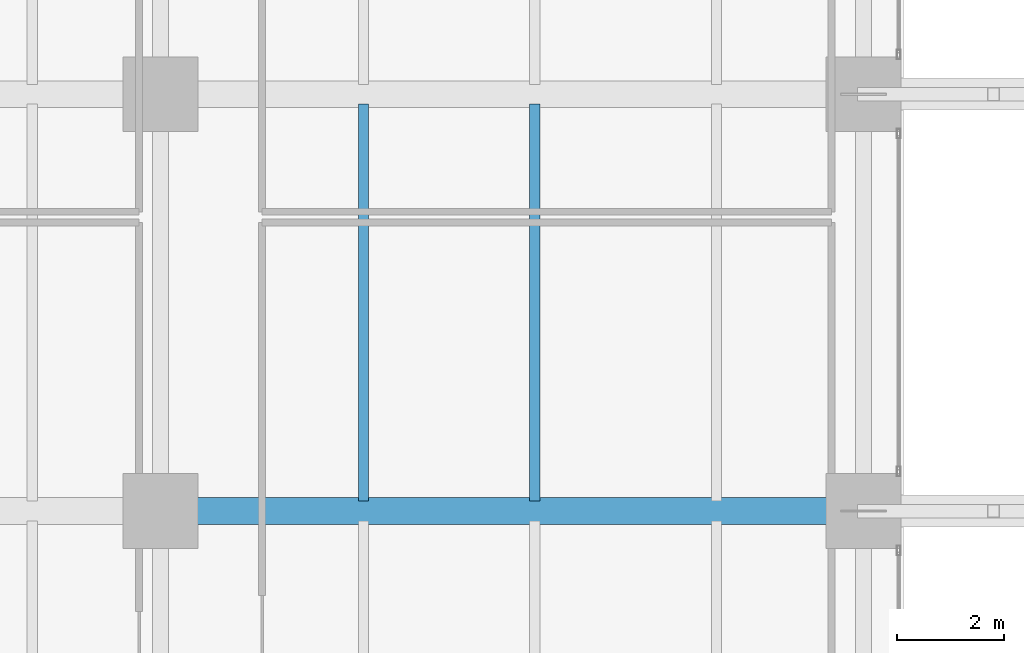
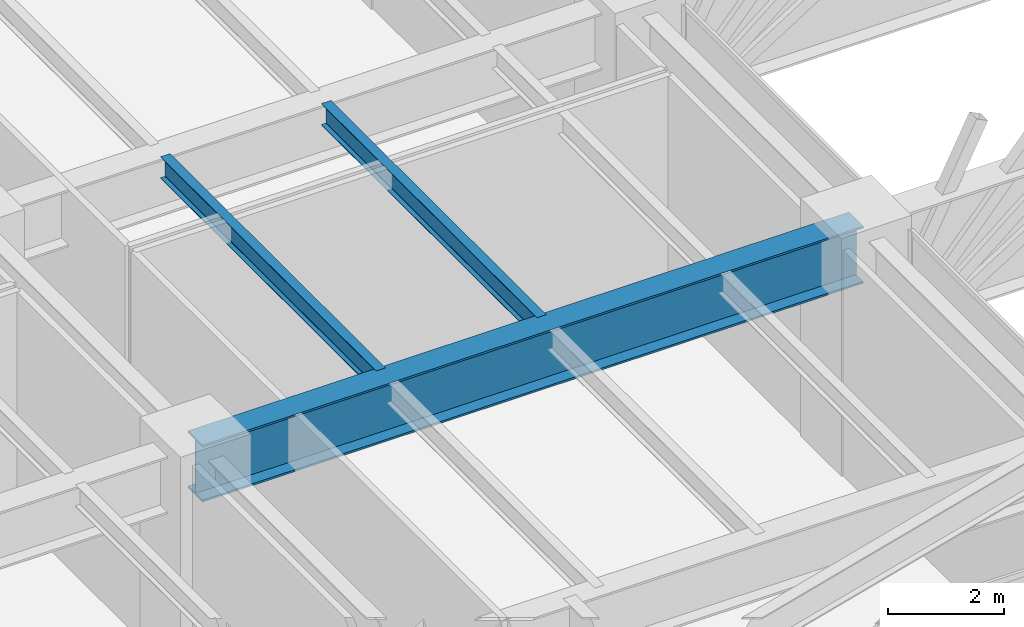
# One storey, part 8 of 39: 3 beams.
"""IFC4 building model written with IfcOpenShell, lengths in metres."""

from ifc_helpers import new_model, si_unit, direction, frame, origin, origin_2d, place, context, subcontext, project, spatial, i_section, extrude, source, transform, mapped, material, material_profile, profile_set, type_object, type_shapes, element, save


model = new_model("IFC4")

# Units and contexts
model_context = context("Model", 3, precision=1e-05, world=origin(), true_north=direction((0.0, 1.0)))
body_context = subcontext(model_context, "Body", "Model", "MODEL_VIEW")
ifc_project = project(units=[si_unit("LENGTHUNIT", "METRE"), si_unit("AREAUNIT", "SQUARE_METRE"), si_unit("VOLUMEUNIT", "CUBIC_METRE"), si_unit("PLANEANGLEUNIT", "RADIAN"), si_unit("MASSUNIT", "GRAM", prefix="KILO")], contexts=[model_context])

# Site, building, storey
site_placement = place(None, origin())
site = spatial("IfcSite", under=ifc_project, at=site_placement, CompositionType="ELEMENT")
building_placement = place(site_placement, origin())
building = spatial("IfcBuilding", under=site, at=building_placement, Name="Tolvann Quenvar Hotel", CompositionType="ELEMENT")
storey_placement = place(building_placement, frame((0.0, 0.0, 11.0)))
storey = spatial("IfcBuildingStorey", under=building, at=storey_placement, Name="L02", CompositionType="ELEMENT", Elevation=11.0)

# Beams
ifc_material = material(Name="Steel Grade 350", Category="steel")
ifc_material_profile_1 = material_profile(ifc_material, i_section(OverallWidth=0.5, OverallDepth=1.199951171875, WebThickness=0.01611328125, FlangeThickness=0.0400390625, at=origin_2d()), Name="1200WB455")
ifc_profile_set_1 = profile_set([ifc_material_profile_1], Name="Steel Grade 350")
beam_type_1 = type_object("IfcBeamType", Name="BM_TG_1200WB455", PredefinedType="USERDEFINED", material=ifc_profile_set_1)
shared_shape_1 = source(origin(), body_context, "Body", "SweptSolid", [
    extrude(i_section(OverallWidth=0.5, OverallDepth=1.199951171875, WebThickness=0.01611328125, FlangeThickness=0.0400390625, at=origin_2d()), origin(), (0.0, 0.0, 1.0), 13.14990234375),
])
type_shapes(beam_type_1, [shared_shape_1])
beam_placement = place(storey_placement, frame((5.60009765625, 8.199951171875, 4.139892578125), z_axis=(1.0, 0.0, 0.0), x_axis=(0.0, 1.0, 0.0)))
element("IfcBeam", 1, at=beam_placement, inside=storey, type_object=beam_type_1, Name="BM-L02-GW2-2", ObjectType="TRANSFER GIRDER", PredefinedType="USERDEFINED", context=body_context, shape_type="MappedRepresentation", body=[
    mapped(shared_shape_1, transform((0.0, 0.0, 0.0), x_axis=(1.0, 0.0, 0.0), y_axis=(0.0, 1.0, 0.0), z_axis=(0.0, 0.0, 1.0), scale=1.0)),
])
ifc_material_profile_2 = material_profile(ifc_material, i_section(OverallWidth=0.18994140625, OverallDepth=0.4541015625, WebThickness=0.008544921875, FlangeThickness=0.0126953125, FilletRadius=0.011474609375, at=origin_2d()), Name="460UB67")
ifc_profile_set_2 = profile_set([ifc_material_profile_2], Name="Steel Grade 350")
beam_type_2 = type_object("IfcBeamType", Name="BM_JOIST_460UB67", PredefinedType="JOIST", material=ifc_profile_set_2)
shared_shape_2 = source(origin(), body_context, "Body", "SweptSolid", [
    extrude(i_section(OverallWidth=0.18994140625, OverallDepth=0.4541015625, WebThickness=0.008544921875, FlangeThickness=0.0126953125, FilletRadius=0.011474609375, at=origin_2d()), origin(), (0.0, 0.0, 1.0), 7.429931640625),
])
type_shapes(beam_type_2, [shared_shape_2])
for number, where, z_axis, x_axis, name in (
    (2, (9.39990234375, 8.385009765625, 4.512939453125), (0.0, 1.0, 0.0), (-1.0, 0.0, 0.0), "BJ-L02-94-82"),
    (3, (12.60009765625, 8.385009765625, 4.512939453125), (0.0, 1.0, 0.0), (-1.0, 0.0, 0.0), "BJ-L02-126-82"),
):
    element("IfcBeam", number, at=place(storey_placement, frame(where, z_axis=z_axis, x_axis=x_axis)), inside=storey, type_object=beam_type_2, Name=name, PredefinedType="JOIST", context=body_context, shape_type="MappedRepresentation", body=[
        mapped(shared_shape_2, transform((0.0, 0.0, 0.0), x_axis=(1.0, 0.0, 0.0), y_axis=(0.0, 1.0, 0.0), z_axis=(0.0, 0.0, 1.0), scale=1.0)),
    ])

save(model, "model.ifc")
